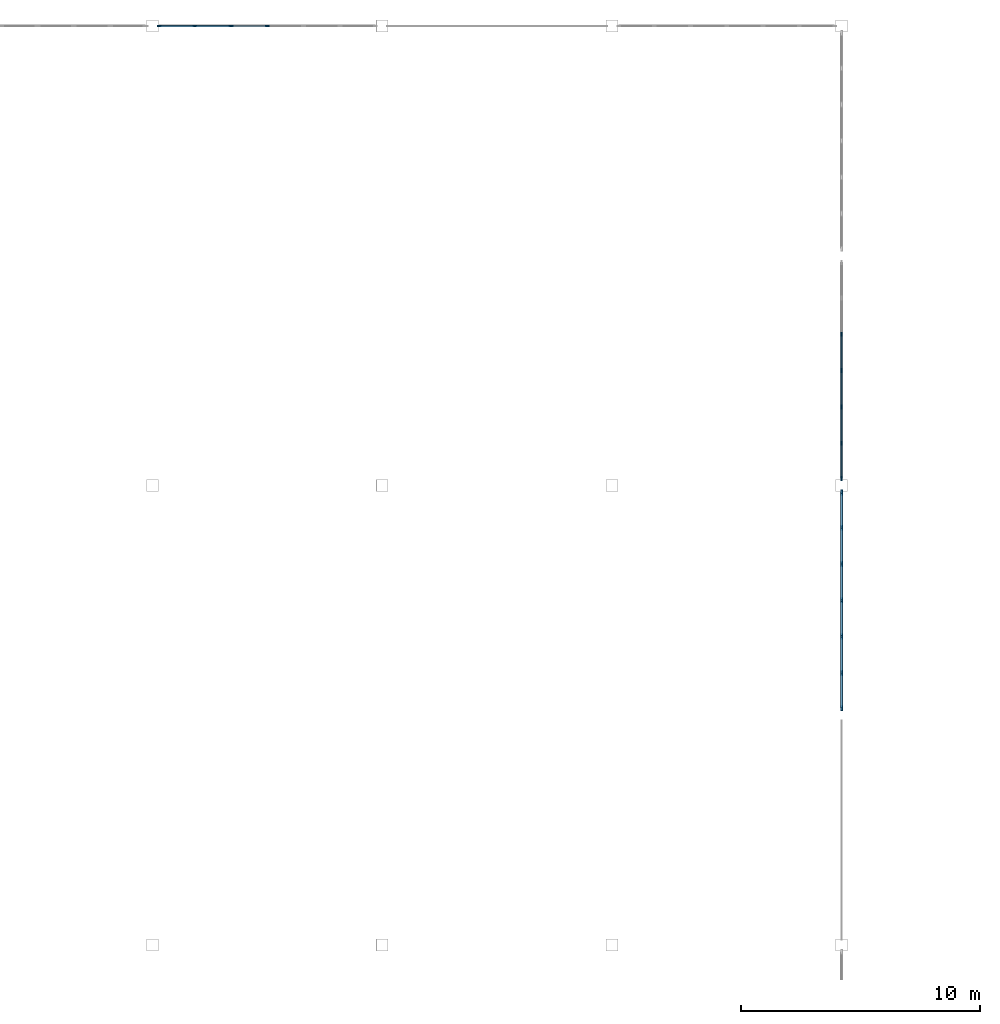
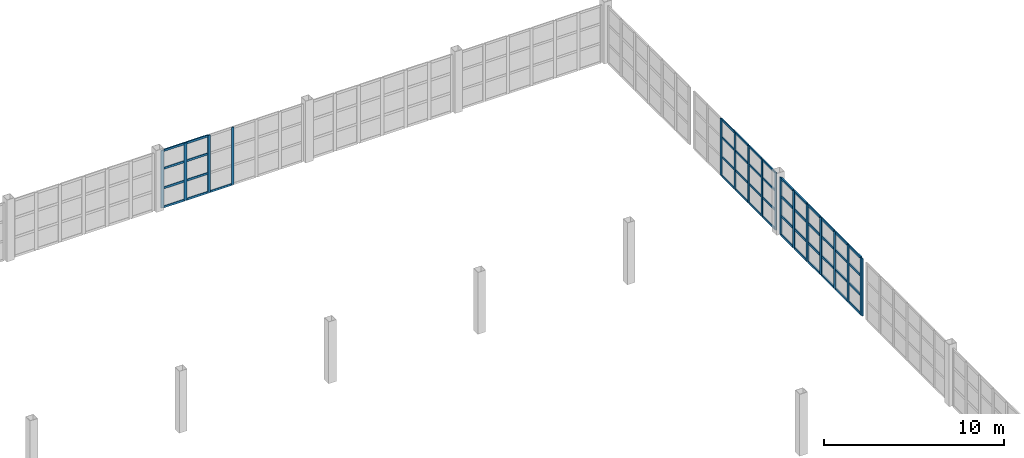
# One storey, part 39 of 82: 65 members, 3 elements without a shape of their own.
"""IFC4 building model written with IfcOpenShell, lengths in metres."""

import ifcopenshell
import ifcopenshell.guid

model = None  # the IFC model being written
_history = None  # IfcOwnerHistory: only IFC2X3 demands one
_inside = {}  # id of a spatial element -> (the spatial element, [elements in it])
_under = {}  # id of a project, library or spatial element -> (it, [spatial elements below it])
_declared = {}  # id of a project -> (the project, [libraries it declares])
_typed = {}  # id of a type object -> (the type object, [elements of that type])
_made_of = {}  # id of a material, layer set ... -> (it, [elements and type objects made of it])


def new_model(schema):
    """Start an empty IFC model of exactly this schema.

    Asked for "IFC4X3", IfcOpenShell would pick the latest addendum, in which some entities
    have other attributes; the version numbers below select the first issue.
    IFC2X3 requires an IfcOwnerHistory on every rooted entity: one is made here for all.
    """
    global model, _history
    if schema == "IFC4X3":
        model = ifcopenshell.file(schema_version=(4, 3, 0, 0))
    else:
        model = ifcopenshell.file(schema=schema)
    _inside.clear()
    _under.clear()
    _declared.clear()
    _typed.clear()
    _made_of.clear()
    _history = None
    if model.schema == "IFC2X3":
        org = make("IfcOrganization", Name="unknown")
        user = make(
            "IfcPersonAndOrganization",
            ThePerson=make("IfcPerson", FamilyName="unknown"),
            TheOrganization=org,
        )
        app = make(
            "IfcApplication",
            ApplicationDeveloper=org,
            Version="unknown",
            ApplicationFullName="unknown",
            ApplicationIdentifier="unknown",
        )
        _history = make(
            "IfcOwnerHistory",
            OwningUser=user,
            OwningApplication=app,
            ChangeAction="ADDED",
            CreationDate=0,
        )
    return model


def make(cls, **values):
    """One entity of the class cls with the attributes given. An attribute that is None is left unset."""
    return model.create_entity(
        cls, **{name: value for name, value in values.items() if value is not None}
    )


def rooted(cls, **values):
    """An entity with a GlobalId (a new one), such as an element, a storey or a relation."""
    return make(cls, GlobalId=ifcopenshell.guid.new(), OwnerHistory=_history, **values)


def si_unit(unit_type, name, prefix=None):
    """IfcSIUnit, for example si_unit("LENGTHUNIT", "METRE", prefix="MILLI")."""
    return make("IfcSIUnit", UnitType=unit_type, Prefix=prefix, Name=name)


def assignment(units):
    """IfcUnitAssignment: the units of a project."""
    return None if units is None else make("IfcUnitAssignment", Units=units)


def point(xyz):
    """IfcCartesianPoint."""
    return None if xyz is None else make("IfcCartesianPoint", Coordinates=xyz)


def direction(xyz):
    """IfcDirection."""
    return None if xyz is None else make("IfcDirection", DirectionRatios=xyz)


def frame(location, z_axis=None, x_axis=None):
    """IfcAxis2Placement3D, a coordinate frame: its origin and axes. An axis left out is left unset."""
    return make(
        "IfcAxis2Placement3D",
        Location=point(location),
        Axis=direction(z_axis),
        RefDirection=direction(x_axis),
    )


def frame_2d(location, x_axis=None):
    """IfcAxis2Placement2D, a coordinate frame in the plane: its origin and x axis."""
    return make(
        "IfcAxis2Placement2D", Location=point(location), RefDirection=direction(x_axis)
    )


def origin():
    """The frame at (0, 0, 0) with its axes left unset."""
    return frame((0.0, 0.0, 0.0))


def origin_2d():
    """The frame at (0, 0) in the plane with its x axis left unset."""
    return frame_2d((0.0, 0.0))


def place(relative_to, where):
    """IfcLocalPlacement: puts the frame where relative to a parent placement (None: the world)."""
    return make(
        "IfcLocalPlacement", PlacementRelTo=relative_to, RelativePlacement=where
    )


def context(
    kind, dimensions, precision=None, world=None, true_north=None, identifier=None
):
    """IfcGeometricRepresentationContext, for example the 3D "Model" context."""
    return make(
        "IfcGeometricRepresentationContext",
        ContextIdentifier=identifier,
        ContextType=kind,
        CoordinateSpaceDimension=dimensions,
        Precision=precision,
        WorldCoordinateSystem=world,
        TrueNorth=true_north,
    )


def subcontext(parent, identifier, kind, view, scale=None):
    """IfcGeometricRepresentationSubContext, for example "Body" below "Model"."""
    return make(
        "IfcGeometricRepresentationSubContext",
        ContextIdentifier=identifier,
        ContextType=kind,
        ParentContext=parent,
        TargetScale=scale,
        TargetView=view,
    )


def project(units=None, contexts=None):
    """IfcProject with its units and contexts."""
    return rooted(
        "IfcProject",
        Name="project",
        RepresentationContexts=contexts,
        UnitsInContext=assignment(units),
    )


def spatial(cls, under=None, at=None, **own):
    """A site, building, storey or space (cls), placed at a placement, below another one or the project."""
    s = rooted(cls, ObjectPlacement=at, **own)
    if under is not None:
        _under.setdefault(under.id(), (under, []))[1].append(s)
    return s


def profile(cls, at=None, kind="AREA", **sizes):
    """A parametric profile (cls). Its sizes go by their IFC names, for example OverallWidth=200.0."""
    return make(cls, ProfileType=kind, Position=at, **sizes)


def rectangle(**sizes):
    """IfcRectangleProfileDef."""
    return profile("IfcRectangleProfileDef", **sizes)


def extrude(swept, where, along, depth):
    """IfcExtrudedAreaSolid: the profile swept, set in the frame where, extruded along a direction by depth."""
    return make(
        "IfcExtrudedAreaSolid",
        SweptArea=swept,
        Position=where,
        ExtrudedDirection=direction(along),
        Depth=depth,
    )


def shape(context_of_items, identifier, shape_type, items):
    """IfcShapeRepresentation: the items that make up one representation, for example the "Body"."""
    return make(
        "IfcShapeRepresentation",
        ContextOfItems=context_of_items,
        RepresentationIdentifier=identifier,
        RepresentationType=shape_type,
        Items=items,
    )


def material(Name=None, Category=None):
    """IfcMaterial."""
    return make("IfcMaterial", Name=Name, Category=Category)


def layer(
    of_material, thickness, ventilated=None, Name=None, Category=None, Priority=None
):
    """IfcMaterialLayer: one layer of a wall or slab, of a material (None: an air gap)."""
    return make(
        "IfcMaterialLayer",
        Material=of_material,
        LayerThickness=thickness,
        IsVentilated=ventilated,
        Name=Name,
        Category=Category,
        Priority=Priority,
    )


def layer_set(layers, Name=None):
    """IfcMaterialLayerSet."""
    return make("IfcMaterialLayerSet", MaterialLayers=layers, LayerSetName=Name)


def material_profile(
    of_material, cross_section, Name=None, Category=None, Priority=None
):
    """IfcMaterialProfile: a cross section and its material."""
    return make(
        "IfcMaterialProfile",
        Name=Name,
        Material=of_material,
        Profile=cross_section,
        Priority=Priority,
        Category=Category,
    )


def profile_set(profiles, Name=None, composite=None):
    """IfcMaterialProfileSet."""
    return make(
        "IfcMaterialProfileSet",
        Name=Name,
        MaterialProfiles=profiles,
        CompositeProfile=composite,
    )


def made_of(thing, what):
    """Note that an element or type object is made of a material, layer set ...; save() writes the relation."""
    if what is not None:
        _made_of.setdefault(what.id(), (what, []))[1].append(thing)
    return thing


def type_object(cls, material=None, **own):
    """A type object (cls), such as IfcWallType, which elements share."""
    return made_of(rooted(cls, **own), material)


def element(
    cls,
    number,
    at=None,
    inside=None,
    cuts=None,
    type_object=None,
    material=None,
    context=None,
    identifier="Body",
    shape_type=None,
    held_by="IfcProductDefinitionShape",
    body=None,
    shapes=None,
    **own,
):
    """One element of the class cls, such as IfcWall. Its Tag is "e" and its number.

    at: its placement. inside: the storey or other place that contains it. cuts: it is an
    opening in that element (IfcRelVoidsElement). A single representation is given by context,
    identifier, shape_type and body (its items); several are given by shapes. held_by: the class
    of the entity that holds the representations. save() writes the other relations.
    """
    e = rooted(cls, Tag="e%d" % number, ObjectPlacement=at, **own)
    if body is not None:
        shapes = [shape(context, identifier, shape_type, body)]
    if shapes is not None:
        e.Representation = make(held_by, Representations=shapes)
    if inside is not None:
        _inside.setdefault(inside.id(), (inside, []))[1].append(e)
    if cuts is not None:
        rooted(
            "IfcRelVoidsElement", RelatingBuildingElement=cuts, RelatedOpeningElement=e
        )
    if type_object is not None:
        _typed.setdefault(type_object.id(), (type_object, []))[1].append(e)
    return made_of(e, material)


def aggregate(whole, parts):
    """IfcRelAggregates: a whole, such as a stair, and the parts it consists of."""
    return rooted("IfcRelAggregates", RelatingObject=whole, RelatedObjects=parts)


def save(model, path):
    """Write the relations noted so far, then the file.

    IfcRelAggregates (storeys below a building ...), IfcRelContainedInSpatialStructure (elements
    in a storey), IfcRelDefinesByType, IfcRelAssociatesMaterial and IfcRelDeclares: one each for
    every whole, place, type object, material and project.
    """
    for whole, parts in _under.values():
        aggregate(whole, parts)
    for where, things in _inside.values():
        rooted(
            "IfcRelContainedInSpatialStructure",
            RelatedElements=things,
            RelatingStructure=where,
        )
    for kind, things in _typed.values():
        rooted("IfcRelDefinesByType", RelatedObjects=things, RelatingType=kind)
    for what, things in _made_of.values():
        rooted("IfcRelAssociatesMaterial", RelatedObjects=things, RelatingMaterial=what)
    for by, libraries in _declared.values():
        rooted("IfcRelDeclares", RelatingContext=by, RelatedDefinitions=libraries)
    model.write(path)


model = new_model("IFC4")

# Units and contexts
model_context = context("Model", 3, precision=1e-05, world=origin(), true_north=direction((0.0, 1.0)))
body_context = subcontext(model_context, "Body", "Model", "MODEL_VIEW")
ifc_project = project(units=[si_unit("LENGTHUNIT", "METRE"), si_unit("AREAUNIT", "SQUARE_METRE"), si_unit("VOLUMEUNIT", "CUBIC_METRE"), si_unit("PLANEANGLEUNIT", "RADIAN"), si_unit("MASSUNIT", "GRAM", prefix="KILO")], contexts=[model_context])

# Site, building, storey
site_placement = place(None, origin())
site = spatial("IfcSite", under=ifc_project, at=site_placement, CompositionType="ELEMENT")
building_placement = place(site_placement, origin())
building = spatial("IfcBuilding", under=site, at=building_placement, Name="Zarnetskaya Central Station", CompositionType="ELEMENT")
storey_placement = place(building_placement, frame((0.0, 0.0, 10.199951171875)))
storey = spatial("IfcBuildingStorey", under=building, at=storey_placement, Name="L02", CompositionType="ELEMENT", Elevation=10.199951171875)

# Curtain wall, members
ifc_material_1 = material(Name="Low-E insulated glass", Category="glass")
ifc_layer = layer(ifc_material_1, 0.1640625, Name="Low-E insulated glass", Category="glass")
ifc_layer_set = layer_set([ifc_layer], Name="Low-E insulated glass")
curtain_wall_type = type_object("IfcCurtainWallType", Name="CW-SYS-12", PredefinedType="USERDEFINED", material=ifc_layer_set)
curtain_wall_1_placement = place(storey_placement, origin())
curtain_wall_1 = element("IfcCurtainWall", 1, at=curtain_wall_1_placement, inside=storey, type_object=curtain_wall_type, Name="Curtain wall CW-L02-173", ObjectType="CURTAIN WALL", PredefinedType="USERDEFINED")
ifc_material_2 = material(Name="Anodised aluminium", Category="aluminium")
ifc_material_profile_1 = material_profile(ifc_material_2, rectangle(XDim=0.070068359375, YDim=0.179931640625, at=origin_2d()), Name="ALU MULL 70x180")
ifc_profile_set_1 = profile_set([ifc_material_profile_1], Name="Anodised aluminium")
member_type_1 = type_object("IfcMemberType", Name="CW-MULL-180", PredefinedType="MULLION", material=ifc_profile_set_1)
member_1_placement = place(storey_placement, frame((96.284912109375, 124.800048828125, 0.0), z_axis=(0.0, 0.0, 1.0), x_axis=(0.0, 1.0, 0.0)))
member_1 = element("IfcMember", 2, at=member_1_placement, type_object=member_type_1, Name="CW-18 mullion 1", PredefinedType="MULLION", context=body_context, shape_type="SweptSolid", body=[
    extrude(rectangle(XDim=0.070068359375, YDim=0.179931640625, at=origin_2d()), origin(), (0.0, 0.0, 1.0), 3.900146484375),
])
member_2_placement = place(storey_placement, frame((97.7666015625, 124.800048828125, 0.0), z_axis=(0.0, 0.0, 1.0), x_axis=(0.0, 1.0, 0.0)))
member_2 = element("IfcMember", 3, at=member_2_placement, type_object=member_type_1, Name="CW-18 mullion 2", PredefinedType="MULLION", context=body_context, shape_type="SweptSolid", body=[
    extrude(rectangle(XDim=0.070068359375, YDim=0.179931640625, at=origin_2d()), origin(), (0.0, 0.0, 1.0), 3.900146484375),
])
member_3_placement = place(storey_placement, frame((99.283447265625, 124.800048828125, 0.0), z_axis=(0.0, 0.0, 1.0), x_axis=(0.0, 1.0, 0.0)))
member_3 = element("IfcMember", 4, at=member_3_placement, type_object=member_type_1, Name="CW-18 mullion 3", PredefinedType="MULLION", context=body_context, shape_type="SweptSolid", body=[
    extrude(rectangle(XDim=0.070068359375, YDim=0.179931640625, at=origin_2d()), origin(), (0.0, 0.0, 1.0), 3.900146484375),
])
member_4_placement = place(storey_placement, frame((100.800048828125, 124.800048828125, 0.0), z_axis=(0.0, 0.0, 1.0), x_axis=(0.0, 1.0, 0.0)))
member_4 = element("IfcMember", 5, at=member_4_placement, type_object=member_type_1, Name="CW-18 mullion 4", PredefinedType="MULLION", context=body_context, shape_type="SweptSolid", body=[
    extrude(rectangle(XDim=0.070068359375, YDim=0.179931640625, at=origin_2d()), origin(), (0.0, 0.0, 1.0), 3.900146484375),
])

curtain_wall_2_placement = place(storey_placement, origin())
curtain_wall_2 = element("IfcCurtainWall", 6, at=curtain_wall_2_placement, inside=storey, type_object=curtain_wall_type, Name="Curtain wall CW-L02-177", ObjectType="CURTAIN WALL", PredefinedType="USERDEFINED")
member_5_placement = place(storey_placement, frame((124.800048828125, 111.916748046875, 0.0), z_axis=(0.0, 0.0, 1.0), x_axis=(1.0, 0.0, 0.0)))
member_5 = element("IfcMember", 7, at=member_5_placement, type_object=member_type_1, Name="CW-18 mullion 3", PredefinedType="MULLION", context=body_context, shape_type="SweptSolid", body=[
    extrude(rectangle(XDim=0.070068359375, YDim=0.179931640625, at=origin_2d()), origin(), (0.0, 0.0, 1.0), 3.900146484375),
])
member_6_placement = place(storey_placement, frame((124.800048828125, 110.39990234375, 0.0), z_axis=(0.0, 0.0, 1.0), x_axis=(1.0, 0.0, 0.0)))
member_6 = element("IfcMember", 8, at=member_6_placement, type_object=member_type_1, Name="CW-18 mullion 4", PredefinedType="MULLION", context=body_context, shape_type="SweptSolid", body=[
    extrude(rectangle(XDim=0.070068359375, YDim=0.179931640625, at=origin_2d()), origin(), (0.0, 0.0, 1.0), 3.900146484375),
])
member_7_placement = place(storey_placement, frame((124.800048828125, 108.88330078125, 0.0), z_axis=(0.0, 0.0, 1.0), x_axis=(1.0, 0.0, 0.0)))
member_7 = element("IfcMember", 9, at=member_7_placement, type_object=member_type_1, Name="CW-18 mullion 5", PredefinedType="MULLION", context=body_context, shape_type="SweptSolid", body=[
    extrude(rectangle(XDim=0.070068359375, YDim=0.179931640625, at=origin_2d()), origin(), (0.0, 0.0, 1.0), 3.900146484375),
])
member_8_placement = place(storey_placement, frame((124.800048828125, 107.36669921875, 0.0), z_axis=(0.0, 0.0, 1.0), x_axis=(1.0, 0.0, 0.0)))
member_8 = element("IfcMember", 10, at=member_8_placement, type_object=member_type_1, Name="CW-18 mullion 6", PredefinedType="MULLION", context=body_context, shape_type="SweptSolid", body=[
    extrude(rectangle(XDim=0.070068359375, YDim=0.179931640625, at=origin_2d()), origin(), (0.0, 0.0, 1.0), 3.900146484375),
])
member_9_placement = place(storey_placement, frame((124.800048828125, 105.885009765625, 0.0), z_axis=(0.0, 0.0, 1.0), x_axis=(1.0, 0.0, 0.0)))
member_9 = element("IfcMember", 11, at=member_9_placement, type_object=member_type_1, Name="CW-18 mullion 7", PredefinedType="MULLION", context=body_context, shape_type="SweptSolid", body=[
    extrude(rectangle(XDim=0.070068359375, YDim=0.179931640625, at=origin_2d()), origin(), (0.0, 0.0, 1.0), 3.900146484375),
])

curtain_wall_3_placement = place(storey_placement, origin())
curtain_wall_3 = element("IfcCurtainWall", 12, at=curtain_wall_3_placement, inside=storey, type_object=curtain_wall_type, Name="Curtain wall CW-L02-178", ObjectType="CURTAIN WALL", PredefinedType="USERDEFINED")
ifc_material_profile_2 = material_profile(ifc_material_2, rectangle(XDim=0.080078125, YDim=0.219970703125, at=origin_2d()), Name="ALU MULL 80x220")
ifc_profile_set_2 = profile_set([ifc_material_profile_2], Name="Anodised aluminium")
member_type_2 = type_object("IfcMemberType", Name="CW-MULL-220", PredefinedType="MULLION", material=ifc_profile_set_2)
member_10_placement = place(storey_placement, frame((124.800048828125, 105.31005859375, 0.0), z_axis=(0.0, 0.0, 1.0), x_axis=(1.0, 0.0, 0.0)))
member_10 = element("IfcMember", 13, at=member_10_placement, type_object=member_type_2, Name="CW-18 mullion 1", PredefinedType="MULLION", context=body_context, shape_type="SweptSolid", body=[
    extrude(rectangle(XDim=0.080078125, YDim=0.219970703125, at=origin_2d()), origin(), (0.0, 0.0, 1.0), 3.900146484375),
])
member_11_placement = place(storey_placement, frame((124.800048828125, 103.833251953125, 0.0), z_axis=(0.0, 0.0, 1.0), x_axis=(1.0, 0.0, 0.0)))
member_11 = element("IfcMember", 14, at=member_11_placement, type_object=member_type_2, Name="CW-18 mullion 2", PredefinedType="MULLION", context=body_context, shape_type="SweptSolid", body=[
    extrude(rectangle(XDim=0.080078125, YDim=0.219970703125, at=origin_2d()), origin(), (0.0, 0.0, 1.0), 3.900146484375),
])
member_12_placement = place(storey_placement, frame((124.800048828125, 102.316650390625, 0.0), z_axis=(0.0, 0.0, 1.0), x_axis=(1.0, 0.0, 0.0)))
member_12 = element("IfcMember", 15, at=member_12_placement, type_object=member_type_2, Name="CW-18 mullion 3", PredefinedType="MULLION", context=body_context, shape_type="SweptSolid", body=[
    extrude(rectangle(XDim=0.080078125, YDim=0.219970703125, at=origin_2d()), origin(), (0.0, 0.0, 1.0), 3.900146484375),
])
member_13_placement = place(storey_placement, frame((124.800048828125, 100.800048828125, 0.0), z_axis=(0.0, 0.0, 1.0), x_axis=(1.0, 0.0, 0.0)))
member_13 = element("IfcMember", 16, at=member_13_placement, type_object=member_type_2, Name="CW-18 mullion 4", PredefinedType="MULLION", context=body_context, shape_type="SweptSolid", body=[
    extrude(rectangle(XDim=0.080078125, YDim=0.219970703125, at=origin_2d()), origin(), (0.0, 0.0, 1.0), 3.900146484375),
])
member_14_placement = place(storey_placement, frame((124.800048828125, 99.283447265625, 0.0), z_axis=(0.0, 0.0, 1.0), x_axis=(1.0, 0.0, 0.0)))
member_14 = element("IfcMember", 17, at=member_14_placement, type_object=member_type_2, Name="CW-18 mullion 5", PredefinedType="MULLION", context=body_context, shape_type="SweptSolid", body=[
    extrude(rectangle(XDim=0.080078125, YDim=0.219970703125, at=origin_2d()), origin(), (0.0, 0.0, 1.0), 3.900146484375),
])
member_15_placement = place(storey_placement, frame((124.800048828125, 97.7666015625, 0.0), z_axis=(0.0, 0.0, 1.0), x_axis=(1.0, 0.0, 0.0)))
member_15 = element("IfcMember", 18, at=member_15_placement, type_object=member_type_2, Name="CW-18 mullion 6", PredefinedType="MULLION", context=body_context, shape_type="SweptSolid", body=[
    extrude(rectangle(XDim=0.080078125, YDim=0.219970703125, at=origin_2d()), origin(), (0.0, 0.0, 1.0), 3.900146484375),
])
member_16_placement = place(storey_placement, frame((124.800048828125, 96.2900390625, 0.0), z_axis=(0.0, 0.0, 1.0), x_axis=(1.0, 0.0, 0.0)))
member_16 = element("IfcMember", 19, at=member_16_placement, type_object=member_type_2, Name="CW-18 mullion 7", PredefinedType="MULLION", context=body_context, shape_type="SweptSolid", body=[
    extrude(rectangle(XDim=0.080078125, YDim=0.219970703125, at=origin_2d()), origin(), (0.0, 0.0, 1.0), 3.900146484375),
])

# Member
ifc_material_profile_3 = material_profile(ifc_material_2, rectangle(XDim=0.070068359375, YDim=0.139892578125, at=origin_2d()), Name="ALU TRAN 70x140")
ifc_profile_set_3 = profile_set([ifc_material_profile_3], Name="Anodised aluminium")
member_type_3 = type_object("IfcMemberType", Name="CW-TRAN-140", PredefinedType="USERDEFINED", material=ifc_profile_set_3)
member_17_placement = place(storey_placement, frame((96.320068359375, 124.800048828125, 0.03515625), z_axis=(1.0, 0.0, 0.0), x_axis=(0.0, 1.0, 0.0)))
member_17 = element("IfcMember", 20, at=member_17_placement, type_object=member_type_3, Name="CW-18 transom 1.1", ObjectType="TRANSOM", PredefinedType="USERDEFINED", context=body_context, shape_type="SweptSolid", body=[
    extrude(rectangle(XDim=0.070068359375, YDim=0.139892578125, at=origin_2d()), origin(), (0.0, 0.0, 1.0), 1.41162109375),
])

member_18_placement = place(storey_placement, frame((96.320068359375, 124.800048828125, 1.325927734375), z_axis=(1.0, 0.0, 0.0), x_axis=(0.0, 1.0, 0.0)))
member_18 = element("IfcMember", 21, at=member_18_placement, type_object=member_type_3, Name="CW-18 transom 1.2", ObjectType="TRANSOM", PredefinedType="USERDEFINED", context=body_context, shape_type="SweptSolid", body=[
    extrude(rectangle(XDim=0.070068359375, YDim=0.139892578125, at=origin_2d()), origin(), (0.0, 0.0, 1.0), 1.41162109375),
])

member_19_placement = place(storey_placement, frame((96.320068359375, 124.800048828125, 2.652099609375), z_axis=(1.0, 0.0, 0.0), x_axis=(0.0, 1.0, 0.0)))
member_19 = element("IfcMember", 22, at=member_19_placement, type_object=member_type_3, Name="CW-18 transom 1.3", ObjectType="TRANSOM", PredefinedType="USERDEFINED", context=body_context, shape_type="SweptSolid", body=[
    extrude(rectangle(XDim=0.070068359375, YDim=0.139892578125, at=origin_2d()), origin(), (0.0, 0.0, 1.0), 1.41162109375),
])

member_20_placement = place(storey_placement, frame((96.320068359375, 124.800048828125, 3.864990234375), z_axis=(1.0, 0.0, 0.0), x_axis=(0.0, 1.0, 0.0)))
member_20 = element("IfcMember", 23, at=member_20_placement, type_object=member_type_3, Name="CW-18 transom 1.4", ObjectType="TRANSOM", PredefinedType="USERDEFINED", context=body_context, shape_type="SweptSolid", body=[
    extrude(rectangle(XDim=0.070068359375, YDim=0.139892578125, at=origin_2d()), origin(), (0.0, 0.0, 1.0), 1.41162109375),
])

member_21_placement = place(storey_placement, frame((97.8017578125, 124.800048828125, 0.03515625), z_axis=(1.0, 0.0, 0.0), x_axis=(0.0, 1.0, 0.0)))
member_21 = element("IfcMember", 24, at=member_21_placement, type_object=member_type_3, Name="CW-18 transom 2.1", ObjectType="TRANSOM", PredefinedType="USERDEFINED", context=body_context, shape_type="SweptSolid", body=[
    extrude(rectangle(XDim=0.070068359375, YDim=0.139892578125, at=origin_2d()), origin(), (0.0, 0.0, 1.0), 1.446533203125),
])

member_22_placement = place(storey_placement, frame((97.8017578125, 124.800048828125, 1.325927734375), z_axis=(1.0, 0.0, 0.0), x_axis=(0.0, 1.0, 0.0)))
member_22 = element("IfcMember", 25, at=member_22_placement, type_object=member_type_3, Name="CW-18 transom 2.2", ObjectType="TRANSOM", PredefinedType="USERDEFINED", context=body_context, shape_type="SweptSolid", body=[
    extrude(rectangle(XDim=0.070068359375, YDim=0.139892578125, at=origin_2d()), origin(), (0.0, 0.0, 1.0), 1.446533203125),
])

member_23_placement = place(storey_placement, frame((97.8017578125, 124.800048828125, 2.652099609375), z_axis=(1.0, 0.0, 0.0), x_axis=(0.0, 1.0, 0.0)))
member_23 = element("IfcMember", 26, at=member_23_placement, type_object=member_type_3, Name="CW-18 transom 2.3", ObjectType="TRANSOM", PredefinedType="USERDEFINED", context=body_context, shape_type="SweptSolid", body=[
    extrude(rectangle(XDim=0.070068359375, YDim=0.139892578125, at=origin_2d()), origin(), (0.0, 0.0, 1.0), 1.446533203125),
])

member_24_placement = place(storey_placement, frame((97.8017578125, 124.800048828125, 3.864990234375), z_axis=(1.0, 0.0, 0.0), x_axis=(0.0, 1.0, 0.0)))
member_24 = element("IfcMember", 27, at=member_24_placement, type_object=member_type_3, Name="CW-18 transom 2.4", ObjectType="TRANSOM", PredefinedType="USERDEFINED", context=body_context, shape_type="SweptSolid", body=[
    extrude(rectangle(XDim=0.070068359375, YDim=0.139892578125, at=origin_2d()), origin(), (0.0, 0.0, 1.0), 1.446533203125),
])

member_25_placement = place(storey_placement, frame((99.318359375, 124.800048828125, 0.03515625), z_axis=(1.0, 0.0, 0.0), x_axis=(0.0, 1.0, 0.0)))
member_25 = element("IfcMember", 28, at=member_25_placement, type_object=member_type_3, Name="CW-18 transom 3.1", ObjectType="TRANSOM", PredefinedType="USERDEFINED", context=body_context, shape_type="SweptSolid", body=[
    extrude(rectangle(XDim=0.070068359375, YDim=0.139892578125, at=origin_2d()), origin(), (0.0, 0.0, 1.0), 1.446533203125),
])

aggregate(curtain_wall_1, [member_1, member_2, member_3, member_4, member_17, member_18, member_19, member_20, member_21, member_22, member_23, member_24, member_25])

member_26_placement = place(storey_placement, frame((124.800048828125, 111.881591796875, 0.03515625), z_axis=(0.0, -1.0, 0.0), x_axis=(1.0, 0.0, 0.0)))
member_26 = element("IfcMember", 29, at=member_26_placement, type_object=member_type_3, Name="CW-18 transom 3.1", ObjectType="TRANSOM", PredefinedType="USERDEFINED", context=body_context, shape_type="SweptSolid", body=[
    extrude(rectangle(XDim=0.070068359375, YDim=0.139892578125, at=origin_2d()), origin(), (0.0, 0.0, 1.0), 1.446533203125),
])

member_27_placement = place(storey_placement, frame((124.800048828125, 111.881591796875, 1.325927734375), z_axis=(0.0, -1.0, 0.0), x_axis=(1.0, 0.0, 0.0)))
member_27 = element("IfcMember", 30, at=member_27_placement, type_object=member_type_3, Name="CW-18 transom 3.2", ObjectType="TRANSOM", PredefinedType="USERDEFINED", context=body_context, shape_type="SweptSolid", body=[
    extrude(rectangle(XDim=0.070068359375, YDim=0.139892578125, at=origin_2d()), origin(), (0.0, 0.0, 1.0), 1.446533203125),
])

member_28_placement = place(storey_placement, frame((124.800048828125, 111.881591796875, 2.652099609375), z_axis=(0.0, -1.0, 0.0), x_axis=(1.0, 0.0, 0.0)))
member_28 = element("IfcMember", 31, at=member_28_placement, type_object=member_type_3, Name="CW-18 transom 3.3", ObjectType="TRANSOM", PredefinedType="USERDEFINED", context=body_context, shape_type="SweptSolid", body=[
    extrude(rectangle(XDim=0.070068359375, YDim=0.139892578125, at=origin_2d()), origin(), (0.0, 0.0, 1.0), 1.446533203125),
])

member_29_placement = place(storey_placement, frame((124.800048828125, 111.881591796875, 3.864990234375), z_axis=(0.0, -1.0, 0.0), x_axis=(1.0, 0.0, 0.0)))
member_29 = element("IfcMember", 32, at=member_29_placement, type_object=member_type_3, Name="CW-18 transom 3.4", ObjectType="TRANSOM", PredefinedType="USERDEFINED", context=body_context, shape_type="SweptSolid", body=[
    extrude(rectangle(XDim=0.070068359375, YDim=0.139892578125, at=origin_2d()), origin(), (0.0, 0.0, 1.0), 1.446533203125),
])

member_30_placement = place(storey_placement, frame((124.800048828125, 110.364990234375, 0.03515625), z_axis=(0.0, -1.0, 0.0), x_axis=(1.0, 0.0, 0.0)))
member_30 = element("IfcMember", 33, at=member_30_placement, type_object=member_type_3, Name="CW-18 transom 4.1", ObjectType="TRANSOM", PredefinedType="USERDEFINED", context=body_context, shape_type="SweptSolid", body=[
    extrude(rectangle(XDim=0.070068359375, YDim=0.139892578125, at=origin_2d()), origin(), (0.0, 0.0, 1.0), 1.44677734375),
])

member_31_placement = place(storey_placement, frame((124.800048828125, 110.364990234375, 1.325927734375), z_axis=(0.0, -1.0, 0.0), x_axis=(1.0, 0.0, 0.0)))
member_31 = element("IfcMember", 34, at=member_31_placement, type_object=member_type_3, Name="CW-18 transom 4.2", ObjectType="TRANSOM", PredefinedType="USERDEFINED", context=body_context, shape_type="SweptSolid", body=[
    extrude(rectangle(XDim=0.070068359375, YDim=0.139892578125, at=origin_2d()), origin(), (0.0, 0.0, 1.0), 1.44677734375),
])

member_32_placement = place(storey_placement, frame((124.800048828125, 110.364990234375, 2.652099609375), z_axis=(0.0, -1.0, 0.0), x_axis=(1.0, 0.0, 0.0)))
member_32 = element("IfcMember", 35, at=member_32_placement, type_object=member_type_3, Name="CW-18 transom 4.3", ObjectType="TRANSOM", PredefinedType="USERDEFINED", context=body_context, shape_type="SweptSolid", body=[
    extrude(rectangle(XDim=0.070068359375, YDim=0.139892578125, at=origin_2d()), origin(), (0.0, 0.0, 1.0), 1.44677734375),
])

member_33_placement = place(storey_placement, frame((124.800048828125, 110.364990234375, 3.864990234375), z_axis=(0.0, -1.0, 0.0), x_axis=(1.0, 0.0, 0.0)))
member_33 = element("IfcMember", 36, at=member_33_placement, type_object=member_type_3, Name="CW-18 transom 4.4", ObjectType="TRANSOM", PredefinedType="USERDEFINED", context=body_context, shape_type="SweptSolid", body=[
    extrude(rectangle(XDim=0.070068359375, YDim=0.139892578125, at=origin_2d()), origin(), (0.0, 0.0, 1.0), 1.44677734375),
])

member_34_placement = place(storey_placement, frame((124.800048828125, 108.848388671875, 0.03515625), z_axis=(0.0, -1.0, 0.0), x_axis=(1.0, 0.0, 0.0)))
member_34 = element("IfcMember", 37, at=member_34_placement, type_object=member_type_3, Name="CW-18 transom 5.1", ObjectType="TRANSOM", PredefinedType="USERDEFINED", context=body_context, shape_type="SweptSolid", body=[
    extrude(rectangle(XDim=0.070068359375, YDim=0.139892578125, at=origin_2d()), origin(), (0.0, 0.0, 1.0), 1.44677734375),
])

member_35_placement = place(storey_placement, frame((124.800048828125, 108.848388671875, 1.325927734375), z_axis=(0.0, -1.0, 0.0), x_axis=(1.0, 0.0, 0.0)))
member_35 = element("IfcMember", 38, at=member_35_placement, type_object=member_type_3, Name="CW-18 transom 5.2", ObjectType="TRANSOM", PredefinedType="USERDEFINED", context=body_context, shape_type="SweptSolid", body=[
    extrude(rectangle(XDim=0.070068359375, YDim=0.139892578125, at=origin_2d()), origin(), (0.0, 0.0, 1.0), 1.44677734375),
])

member_36_placement = place(storey_placement, frame((124.800048828125, 108.848388671875, 2.652099609375), z_axis=(0.0, -1.0, 0.0), x_axis=(1.0, 0.0, 0.0)))
member_36 = element("IfcMember", 39, at=member_36_placement, type_object=member_type_3, Name="CW-18 transom 5.3", ObjectType="TRANSOM", PredefinedType="USERDEFINED", context=body_context, shape_type="SweptSolid", body=[
    extrude(rectangle(XDim=0.070068359375, YDim=0.139892578125, at=origin_2d()), origin(), (0.0, 0.0, 1.0), 1.44677734375),
])

member_37_placement = place(storey_placement, frame((124.800048828125, 108.848388671875, 3.864990234375), z_axis=(0.0, -1.0, 0.0), x_axis=(1.0, 0.0, 0.0)))
member_37 = element("IfcMember", 40, at=member_37_placement, type_object=member_type_3, Name="CW-18 transom 5.4", ObjectType="TRANSOM", PredefinedType="USERDEFINED", context=body_context, shape_type="SweptSolid", body=[
    extrude(rectangle(XDim=0.070068359375, YDim=0.139892578125, at=origin_2d()), origin(), (0.0, 0.0, 1.0), 1.44677734375),
])

member_38_placement = place(storey_placement, frame((124.800048828125, 107.331787109375, 0.03515625), z_axis=(0.0, -1.0, 0.0), x_axis=(1.0, 0.0, 0.0)))
member_38 = element("IfcMember", 41, at=member_38_placement, type_object=member_type_3, Name="CW-18 transom 6.1", ObjectType="TRANSOM", PredefinedType="USERDEFINED", context=body_context, shape_type="SweptSolid", body=[
    extrude(rectangle(XDim=0.070068359375, YDim=0.139892578125, at=origin_2d()), origin(), (0.0, 0.0, 1.0), 1.411865234375),
])

member_39_placement = place(storey_placement, frame((124.800048828125, 107.331787109375, 1.325927734375), z_axis=(0.0, -1.0, 0.0), x_axis=(1.0, 0.0, 0.0)))
member_39 = element("IfcMember", 42, at=member_39_placement, type_object=member_type_3, Name="CW-18 transom 6.2", ObjectType="TRANSOM", PredefinedType="USERDEFINED", context=body_context, shape_type="SweptSolid", body=[
    extrude(rectangle(XDim=0.070068359375, YDim=0.139892578125, at=origin_2d()), origin(), (0.0, 0.0, 1.0), 1.411865234375),
])

member_40_placement = place(storey_placement, frame((124.800048828125, 107.331787109375, 2.652099609375), z_axis=(0.0, -1.0, 0.0), x_axis=(1.0, 0.0, 0.0)))
member_40 = element("IfcMember", 43, at=member_40_placement, type_object=member_type_3, Name="CW-18 transom 6.3", ObjectType="TRANSOM", PredefinedType="USERDEFINED", context=body_context, shape_type="SweptSolid", body=[
    extrude(rectangle(XDim=0.070068359375, YDim=0.139892578125, at=origin_2d()), origin(), (0.0, 0.0, 1.0), 1.411865234375),
])

member_41_placement = place(storey_placement, frame((124.800048828125, 107.331787109375, 3.864990234375), z_axis=(0.0, -1.0, 0.0), x_axis=(1.0, 0.0, 0.0)))
member_41 = element("IfcMember", 44, at=member_41_placement, type_object=member_type_3, Name="CW-18 transom 6.4", ObjectType="TRANSOM", PredefinedType="USERDEFINED", context=body_context, shape_type="SweptSolid", body=[
    extrude(rectangle(XDim=0.070068359375, YDim=0.139892578125, at=origin_2d()), origin(), (0.0, 0.0, 1.0), 1.411865234375),
])

aggregate(curtain_wall_2, [member_5, member_6, member_7, member_8, member_9, member_26, member_27, member_28, member_29, member_30, member_31, member_32, member_33, member_34, member_35, member_36, member_37, member_38, member_39, member_40, member_41])

ifc_material_profile_4 = material_profile(ifc_material_2, rectangle(XDim=0.080078125, YDim=0.159912109375, at=origin_2d()), Name="ALU TRAN 80x160")
ifc_profile_set_4 = profile_set([ifc_material_profile_4], Name="Anodised aluminium")
member_type_4 = type_object("IfcMemberType", Name="CW-TRAN-160", PredefinedType="USERDEFINED", material=ifc_profile_set_4)
member_42_placement = place(storey_placement, frame((124.800048828125, 105.27001953125, 0.0400390625), z_axis=(0.0, -1.0, 0.0), x_axis=(1.0, 0.0, 0.0)))
member_42 = element("IfcMember", 45, at=member_42_placement, type_object=member_type_4, Name="CW-18 transom 1.1", ObjectType="TRANSOM", PredefinedType="USERDEFINED", context=body_context, shape_type="SweptSolid", body=[
    extrude(rectangle(XDim=0.080078125, YDim=0.159912109375, at=origin_2d()), origin(), (0.0, 0.0, 1.0), 1.396728515625),
])

member_43_placement = place(storey_placement, frame((124.800048828125, 105.27001953125, 1.325927734375), z_axis=(0.0, -1.0, 0.0), x_axis=(1.0, 0.0, 0.0)))
member_43 = element("IfcMember", 46, at=member_43_placement, type_object=member_type_4, Name="CW-18 transom 1.2", ObjectType="TRANSOM", PredefinedType="USERDEFINED", context=body_context, shape_type="SweptSolid", body=[
    extrude(rectangle(XDim=0.080078125, YDim=0.159912109375, at=origin_2d()), origin(), (0.0, 0.0, 1.0), 1.396728515625),
])

member_44_placement = place(storey_placement, frame((124.800048828125, 105.27001953125, 2.652099609375), z_axis=(0.0, -1.0, 0.0), x_axis=(1.0, 0.0, 0.0)))
member_44 = element("IfcMember", 47, at=member_44_placement, type_object=member_type_4, Name="CW-18 transom 1.3", ObjectType="TRANSOM", PredefinedType="USERDEFINED", context=body_context, shape_type="SweptSolid", body=[
    extrude(rectangle(XDim=0.080078125, YDim=0.159912109375, at=origin_2d()), origin(), (0.0, 0.0, 1.0), 1.396728515625),
])

member_45_placement = place(storey_placement, frame((124.800048828125, 105.27001953125, 3.860107421875), z_axis=(0.0, -1.0, 0.0), x_axis=(1.0, 0.0, 0.0)))
member_45 = element("IfcMember", 48, at=member_45_placement, type_object=member_type_4, Name="CW-18 transom 1.4", ObjectType="TRANSOM", PredefinedType="USERDEFINED", context=body_context, shape_type="SweptSolid", body=[
    extrude(rectangle(XDim=0.080078125, YDim=0.159912109375, at=origin_2d()), origin(), (0.0, 0.0, 1.0), 1.396728515625),
])

member_46_placement = place(storey_placement, frame((124.800048828125, 103.793212890625, 0.0400390625), z_axis=(0.0, -1.0, 0.0), x_axis=(1.0, 0.0, 0.0)))
member_46 = element("IfcMember", 49, at=member_46_placement, type_object=member_type_4, Name="CW-18 transom 2.1", ObjectType="TRANSOM", PredefinedType="USERDEFINED", context=body_context, shape_type="SweptSolid", body=[
    extrude(rectangle(XDim=0.080078125, YDim=0.159912109375, at=origin_2d()), origin(), (0.0, 0.0, 1.0), 1.4365234375),
])

member_47_placement = place(storey_placement, frame((124.800048828125, 103.793212890625, 1.325927734375), z_axis=(0.0, -1.0, 0.0), x_axis=(1.0, 0.0, 0.0)))
member_47 = element("IfcMember", 50, at=member_47_placement, type_object=member_type_4, Name="CW-18 transom 2.2", ObjectType="TRANSOM", PredefinedType="USERDEFINED", context=body_context, shape_type="SweptSolid", body=[
    extrude(rectangle(XDim=0.080078125, YDim=0.159912109375, at=origin_2d()), origin(), (0.0, 0.0, 1.0), 1.4365234375),
])

member_48_placement = place(storey_placement, frame((124.800048828125, 103.793212890625, 2.652099609375), z_axis=(0.0, -1.0, 0.0), x_axis=(1.0, 0.0, 0.0)))
member_48 = element("IfcMember", 51, at=member_48_placement, type_object=member_type_4, Name="CW-18 transom 2.3", ObjectType="TRANSOM", PredefinedType="USERDEFINED", context=body_context, shape_type="SweptSolid", body=[
    extrude(rectangle(XDim=0.080078125, YDim=0.159912109375, at=origin_2d()), origin(), (0.0, 0.0, 1.0), 1.4365234375),
])

member_49_placement = place(storey_placement, frame((124.800048828125, 103.793212890625, 3.860107421875), z_axis=(0.0, -1.0, 0.0), x_axis=(1.0, 0.0, 0.0)))
member_49 = element("IfcMember", 52, at=member_49_placement, type_object=member_type_4, Name="CW-18 transom 2.4", ObjectType="TRANSOM", PredefinedType="USERDEFINED", context=body_context, shape_type="SweptSolid", body=[
    extrude(rectangle(XDim=0.080078125, YDim=0.159912109375, at=origin_2d()), origin(), (0.0, 0.0, 1.0), 1.4365234375),
])

member_50_placement = place(storey_placement, frame((124.800048828125, 102.276611328125, 0.0400390625), z_axis=(0.0, -1.0, 0.0), x_axis=(1.0, 0.0, 0.0)))
member_50 = element("IfcMember", 53, at=member_50_placement, type_object=member_type_4, Name="CW-18 transom 3.1", ObjectType="TRANSOM", PredefinedType="USERDEFINED", context=body_context, shape_type="SweptSolid", body=[
    extrude(rectangle(XDim=0.080078125, YDim=0.159912109375, at=origin_2d()), origin(), (0.0, 0.0, 1.0), 1.4365234375),
])

member_51_placement = place(storey_placement, frame((124.800048828125, 102.276611328125, 1.325927734375), z_axis=(0.0, -1.0, 0.0), x_axis=(1.0, 0.0, 0.0)))
member_51 = element("IfcMember", 54, at=member_51_placement, type_object=member_type_4, Name="CW-18 transom 3.2", ObjectType="TRANSOM", PredefinedType="USERDEFINED", context=body_context, shape_type="SweptSolid", body=[
    extrude(rectangle(XDim=0.080078125, YDim=0.159912109375, at=origin_2d()), origin(), (0.0, 0.0, 1.0), 1.4365234375),
])

member_52_placement = place(storey_placement, frame((124.800048828125, 102.276611328125, 2.652099609375), z_axis=(0.0, -1.0, 0.0), x_axis=(1.0, 0.0, 0.0)))
member_52 = element("IfcMember", 55, at=member_52_placement, type_object=member_type_4, Name="CW-18 transom 3.3", ObjectType="TRANSOM", PredefinedType="USERDEFINED", context=body_context, shape_type="SweptSolid", body=[
    extrude(rectangle(XDim=0.080078125, YDim=0.159912109375, at=origin_2d()), origin(), (0.0, 0.0, 1.0), 1.4365234375),
])

member_53_placement = place(storey_placement, frame((124.800048828125, 102.276611328125, 3.860107421875), z_axis=(0.0, -1.0, 0.0), x_axis=(1.0, 0.0, 0.0)))
member_53 = element("IfcMember", 56, at=member_53_placement, type_object=member_type_4, Name="CW-18 transom 3.4", ObjectType="TRANSOM", PredefinedType="USERDEFINED", context=body_context, shape_type="SweptSolid", body=[
    extrude(rectangle(XDim=0.080078125, YDim=0.159912109375, at=origin_2d()), origin(), (0.0, 0.0, 1.0), 1.4365234375),
])

member_54_placement = place(storey_placement, frame((124.800048828125, 100.760009765625, 0.0400390625), z_axis=(0.0, -1.0, 0.0), x_axis=(1.0, 0.0, 0.0)))
member_54 = element("IfcMember", 57, at=member_54_placement, type_object=member_type_4, Name="CW-18 transom 4.1", ObjectType="TRANSOM", PredefinedType="USERDEFINED", context=body_context, shape_type="SweptSolid", body=[
    extrude(rectangle(XDim=0.080078125, YDim=0.159912109375, at=origin_2d()), origin(), (0.0, 0.0, 1.0), 1.436767578125),
])

member_55_placement = place(storey_placement, frame((124.800048828125, 100.760009765625, 1.325927734375), z_axis=(0.0, -1.0, 0.0), x_axis=(1.0, 0.0, 0.0)))
member_55 = element("IfcMember", 58, at=member_55_placement, type_object=member_type_4, Name="CW-18 transom 4.2", ObjectType="TRANSOM", PredefinedType="USERDEFINED", context=body_context, shape_type="SweptSolid", body=[
    extrude(rectangle(XDim=0.080078125, YDim=0.159912109375, at=origin_2d()), origin(), (0.0, 0.0, 1.0), 1.436767578125),
])

member_56_placement = place(storey_placement, frame((124.800048828125, 100.760009765625, 2.652099609375), z_axis=(0.0, -1.0, 0.0), x_axis=(1.0, 0.0, 0.0)))
member_56 = element("IfcMember", 59, at=member_56_placement, type_object=member_type_4, Name="CW-18 transom 4.3", ObjectType="TRANSOM", PredefinedType="USERDEFINED", context=body_context, shape_type="SweptSolid", body=[
    extrude(rectangle(XDim=0.080078125, YDim=0.159912109375, at=origin_2d()), origin(), (0.0, 0.0, 1.0), 1.436767578125),
])

member_57_placement = place(storey_placement, frame((124.800048828125, 100.760009765625, 3.860107421875), z_axis=(0.0, -1.0, 0.0), x_axis=(1.0, 0.0, 0.0)))
member_57 = element("IfcMember", 60, at=member_57_placement, type_object=member_type_4, Name="CW-18 transom 4.4", ObjectType="TRANSOM", PredefinedType="USERDEFINED", context=body_context, shape_type="SweptSolid", body=[
    extrude(rectangle(XDim=0.080078125, YDim=0.159912109375, at=origin_2d()), origin(), (0.0, 0.0, 1.0), 1.436767578125),
])

member_58_placement = place(storey_placement, frame((124.800048828125, 99.243408203125, 0.0400390625), z_axis=(0.0, -1.0, 0.0), x_axis=(1.0, 0.0, 0.0)))
member_58 = element("IfcMember", 61, at=member_58_placement, type_object=member_type_4, Name="CW-18 transom 5.1", ObjectType="TRANSOM", PredefinedType="USERDEFINED", context=body_context, shape_type="SweptSolid", body=[
    extrude(rectangle(XDim=0.080078125, YDim=0.159912109375, at=origin_2d()), origin(), (0.0, 0.0, 1.0), 1.436767578125),
])

member_59_placement = place(storey_placement, frame((124.800048828125, 99.243408203125, 1.325927734375), z_axis=(0.0, -1.0, 0.0), x_axis=(1.0, 0.0, 0.0)))
member_59 = element("IfcMember", 62, at=member_59_placement, type_object=member_type_4, Name="CW-18 transom 5.2", ObjectType="TRANSOM", PredefinedType="USERDEFINED", context=body_context, shape_type="SweptSolid", body=[
    extrude(rectangle(XDim=0.080078125, YDim=0.159912109375, at=origin_2d()), origin(), (0.0, 0.0, 1.0), 1.436767578125),
])

member_60_placement = place(storey_placement, frame((124.800048828125, 99.243408203125, 2.652099609375), z_axis=(0.0, -1.0, 0.0), x_axis=(1.0, 0.0, 0.0)))
member_60 = element("IfcMember", 63, at=member_60_placement, type_object=member_type_4, Name="CW-18 transom 5.3", ObjectType="TRANSOM", PredefinedType="USERDEFINED", context=body_context, shape_type="SweptSolid", body=[
    extrude(rectangle(XDim=0.080078125, YDim=0.159912109375, at=origin_2d()), origin(), (0.0, 0.0, 1.0), 1.436767578125),
])

member_61_placement = place(storey_placement, frame((124.800048828125, 99.243408203125, 3.860107421875), z_axis=(0.0, -1.0, 0.0), x_axis=(1.0, 0.0, 0.0)))
member_61 = element("IfcMember", 64, at=member_61_placement, type_object=member_type_4, Name="CW-18 transom 5.4", ObjectType="TRANSOM", PredefinedType="USERDEFINED", context=body_context, shape_type="SweptSolid", body=[
    extrude(rectangle(XDim=0.080078125, YDim=0.159912109375, at=origin_2d()), origin(), (0.0, 0.0, 1.0), 1.436767578125),
])

member_62_placement = place(storey_placement, frame((124.800048828125, 97.7265625, 0.0400390625), z_axis=(0.0, -1.0, 0.0), x_axis=(1.0, 0.0, 0.0)))
member_62 = element("IfcMember", 65, at=member_62_placement, type_object=member_type_4, Name="CW-18 transom 6.1", ObjectType="TRANSOM", PredefinedType="USERDEFINED", context=body_context, shape_type="SweptSolid", body=[
    extrude(rectangle(XDim=0.080078125, YDim=0.159912109375, at=origin_2d()), origin(), (0.0, 0.0, 1.0), 1.396484375),
])

member_63_placement = place(storey_placement, frame((124.800048828125, 97.7265625, 1.325927734375), z_axis=(0.0, -1.0, 0.0), x_axis=(1.0, 0.0, 0.0)))
member_63 = element("IfcMember", 66, at=member_63_placement, type_object=member_type_4, Name="CW-18 transom 6.2", ObjectType="TRANSOM", PredefinedType="USERDEFINED", context=body_context, shape_type="SweptSolid", body=[
    extrude(rectangle(XDim=0.080078125, YDim=0.159912109375, at=origin_2d()), origin(), (0.0, 0.0, 1.0), 1.396484375),
])

member_64_placement = place(storey_placement, frame((124.800048828125, 97.7265625, 2.652099609375), z_axis=(0.0, -1.0, 0.0), x_axis=(1.0, 0.0, 0.0)))
member_64 = element("IfcMember", 67, at=member_64_placement, type_object=member_type_4, Name="CW-18 transom 6.3", ObjectType="TRANSOM", PredefinedType="USERDEFINED", context=body_context, shape_type="SweptSolid", body=[
    extrude(rectangle(XDim=0.080078125, YDim=0.159912109375, at=origin_2d()), origin(), (0.0, 0.0, 1.0), 1.396484375),
])

member_65_placement = place(storey_placement, frame((124.800048828125, 97.7265625, 3.860107421875), z_axis=(0.0, -1.0, 0.0), x_axis=(1.0, 0.0, 0.0)))
member_65 = element("IfcMember", 68, at=member_65_placement, type_object=member_type_4, Name="CW-18 transom 6.4", ObjectType="TRANSOM", PredefinedType="USERDEFINED", context=body_context, shape_type="SweptSolid", body=[
    extrude(rectangle(XDim=0.080078125, YDim=0.159912109375, at=origin_2d()), origin(), (0.0, 0.0, 1.0), 1.396484375),
])

aggregate(curtain_wall_3, [member_10, member_11, member_12, member_13, member_14, member_15, member_16, member_42, member_43, member_44, member_45, member_46, member_47, member_48, member_49, member_50, member_51, member_52, member_53, member_54, member_55, member_56, member_57, member_58, member_59, member_60, member_61, member_62, member_63, member_64, member_65])

save(model, "model.ifc")
